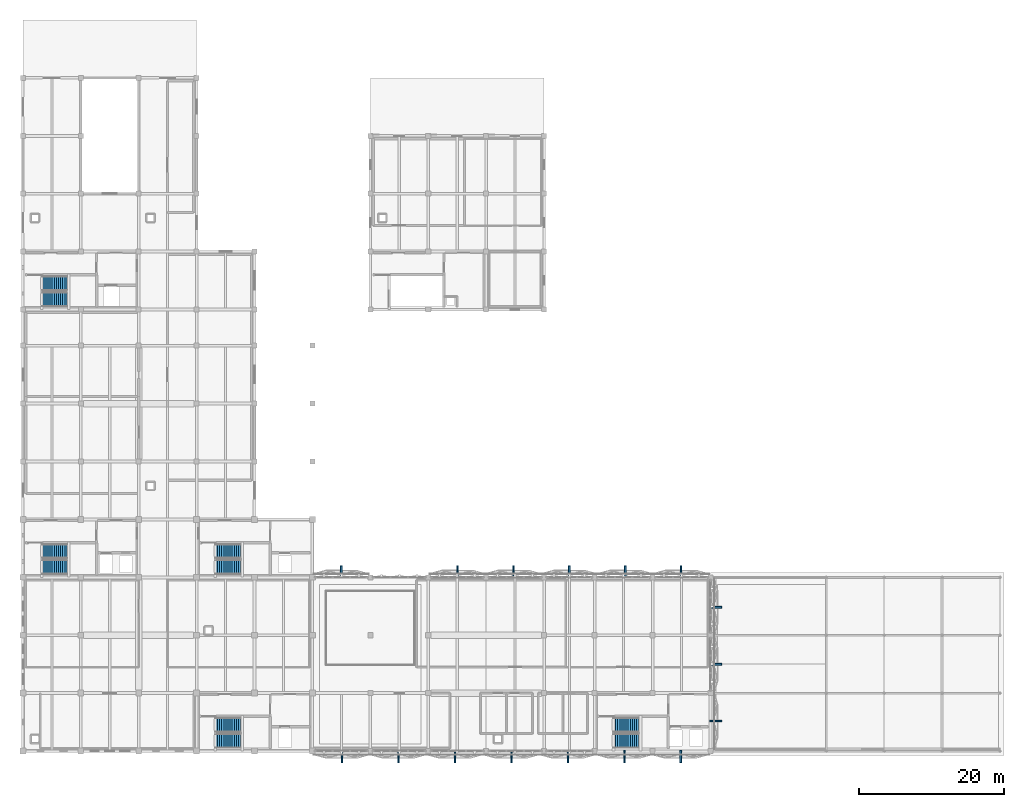
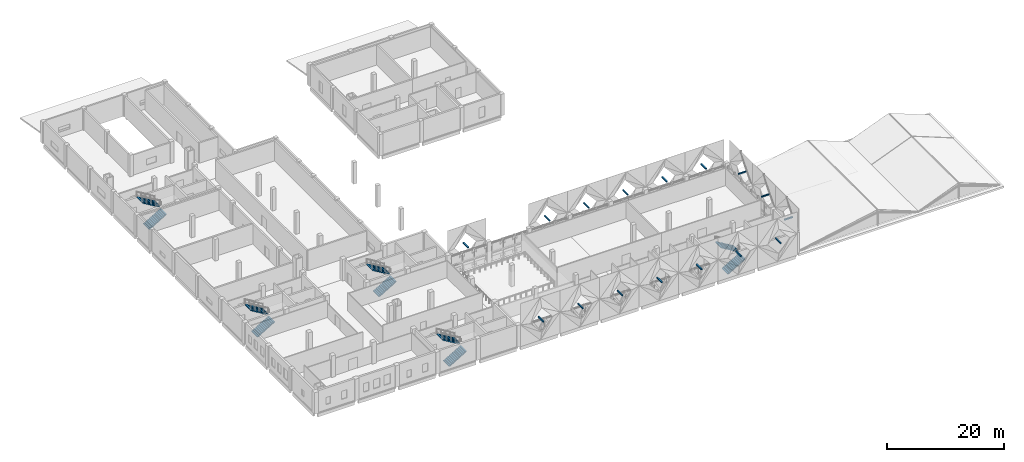
# One storey, part 27 of 37: 16 discrete accessories, 10 stair flights, 5 elements without a shape of their own.
"""IFC4 building model written with IfcOpenShell, lengths in metres."""

from ifc_helpers import new_model, si_unit, direction, frame, origin, origin_2d, place, context, subcontext, project, spatial, polyline, rectangle, outline, extrude, material, type_object, element, aggregate, save


model = new_model("IFC4")

# Units and contexts
model_context = context("Model", 3, precision=1e-05, world=origin(), true_north=direction((0.0, 1.0)))
body_context = subcontext(model_context, "Body", "Model", "MODEL_VIEW")
ifc_project = project(units=[si_unit("LENGTHUNIT", "METRE"), si_unit("AREAUNIT", "SQUARE_METRE"), si_unit("VOLUMEUNIT", "CUBIC_METRE"), si_unit("PLANEANGLEUNIT", "RADIAN"), si_unit("MASSUNIT", "GRAM", prefix="KILO")], contexts=[model_context])

# Site, building, storey
site_placement = place(None, origin())
site = spatial("IfcSite", under=ifc_project, at=site_placement, CompositionType="ELEMENT")
building_placement = place(site_placement, origin())
building = spatial("IfcBuilding", under=site, at=building_placement, Name="Qorikala Patio Media Centre", CompositionType="ELEMENT")
storey_placement = place(building_placement, frame((0.0, 0.0, 14.39990234375)))
storey = spatial("IfcBuildingStorey", under=building, at=storey_placement, Name="L03", CompositionType="ELEMENT", Elevation=14.39990234375)

# Stair, stair flights
ifc_material_1 = material(Name="Precast concrete C40/50", Category="concrete")
stair_type = type_object("IfcStairType", Name="ST-DL-26R173W200", PredefinedType="HALF_TURN_STAIR", material=ifc_material_1)
stair_1_placement = place(storey_placement, origin())
stair_1 = element("IfcStair", 1, at=stair_1_placement, inside=storey, type_object=stair_type, Name="L03 Core C1 Exit Stair ST-1", PredefinedType="HALF_TURN_STAIR")
stair_flight_type = type_object("IfcStairFlightType", Name="FL-DL-13R173W200", PredefinedType="STRAIGHT", material=ifc_material_1)
stair_flight_1_placement = place(storey_placement, frame((29.60009765625, 4.39990234375, 0.0), z_axis=(0.0, 0.0, 1.0), x_axis=(1.0, 0.0, 0.0)))
stair_flight_1 = element("IfcStairFlight", 2, at=stair_flight_1_placement, type_object=stair_flight_type, Name="ST-1 flight 1", NumberOfRisers=13, NumberOfTreads=12, PredefinedType="STRAIGHT", RiserHeight=0.173076923, TreadLength=0.29, context=body_context, shape_type="SweptSolid", body=[
    extrude(outline(polyline([(0.0, 0.0), (0.0, 0.173095703125), (0.2900390625, 0.173095703125), (0.2900390625, 0.34619140625), (0.580078125, 0.34619140625), (0.580078125, 0.519287109375), (0.8701171875, 0.519287109375), (0.8701171875, 0.6923828125), (1.159912109375, 0.6923828125), (1.159912109375, 0.865478515625), (1.449951171875, 0.865478515625), (1.449951171875, 1.03857421875), (1.739990234375, 1.03857421875), (1.739990234375, 1.21142578125), (2.030029296875, 1.21142578125), (2.030029296875, 1.384521484375), (2.320068359375, 1.384521484375), (2.320068359375, 1.5576171875), (2.610107421875, 1.5576171875), (2.610107421875, 1.730712890625), (2.89990234375, 1.730712890625), (2.89990234375, 1.90380859375), (3.18994140625, 1.90380859375), (3.18994140625, 2.076904296875), (3.47998046875, 2.076904296875), (3.47998046875, 2.25), (3.47998046875, 1.90234375), (0.29248046875, 0.0), (0.0, 0.0)])), frame((0.0, 1.0, 0.0), z_axis=(0.0, -1.0, 0.0), x_axis=(1.0, 0.0, 0.0)), (0.0, 0.0, 1.0), 2.0),
])
stair_flight_2_placement = place(storey_placement, frame((33.080078125, 6.60009765625, 2.25), z_axis=(0.0, 0.0, 1.0), x_axis=(-1.0, 0.0, 0.0)))
stair_flight_2 = element("IfcStairFlight", 3, at=stair_flight_2_placement, type_object=stair_flight_type, Name="ST-1 flight 2", NumberOfRisers=13, NumberOfTreads=12, PredefinedType="STRAIGHT", RiserHeight=0.173076923, TreadLength=0.29, context=body_context, shape_type="SweptSolid", body=[
    extrude(outline(polyline([(0.0, 0.0), (0.0, 0.173095703125), (0.2900390625, 0.173095703125), (0.2900390625, 0.34619140625), (0.580078125, 0.34619140625), (0.580078125, 0.519287109375), (0.8701171875, 0.519287109375), (0.8701171875, 0.6923828125), (1.159912109375, 0.6923828125), (1.159912109375, 0.865478515625), (1.449951171875, 0.865478515625), (1.449951171875, 1.03857421875), (1.739990234375, 1.03857421875), (1.739990234375, 1.21142578125), (2.030029296875, 1.21142578125), (2.030029296875, 1.384521484375), (2.320068359375, 1.384521484375), (2.320068359375, 1.5576171875), (2.610107421875, 1.5576171875), (2.610107421875, 1.730712890625), (2.89990234375, 1.730712890625), (2.89990234375, 1.90380859375), (3.18994140625, 1.90380859375), (3.18994140625, 2.076904296875), (3.47998046875, 2.076904296875), (3.47998046875, 2.25), (3.47998046875, 1.90234375), (0.29248046875, 0.0), (0.0, 0.0)])), frame((0.0, 1.0, 0.0), z_axis=(0.0, -1.0, 0.0), x_axis=(1.0, 0.0, 0.0)), (0.0, 0.0, 1.0), 2.0),
])
aggregate(stair_1, [stair_flight_1, stair_flight_2])

stair_2_placement = place(storey_placement, origin())
stair_2 = element("IfcStair", 4, at=stair_2_placement, inside=storey, type_object=stair_type, Name="L03 Core C2 Exit Stair ST-2", PredefinedType="HALF_TURN_STAIR")
stair_flight_3_placement = place(storey_placement, frame((5.60009765625, 28.39990234375, 0.0), z_axis=(0.0, 0.0, 1.0), x_axis=(1.0, 0.0, 0.0)))
stair_flight_3 = element("IfcStairFlight", 5, at=stair_flight_3_placement, type_object=stair_flight_type, Name="ST-2 flight 1", NumberOfRisers=13, NumberOfTreads=12, PredefinedType="STRAIGHT", RiserHeight=0.173076923, TreadLength=0.29, context=body_context, shape_type="SweptSolid", body=[
    extrude(outline(polyline([(0.0, 0.0), (0.0, 0.173095703125), (0.2900390625, 0.173095703125), (0.2900390625, 0.34619140625), (0.580078125, 0.34619140625), (0.580078125, 0.519287109375), (0.8701171875, 0.519287109375), (0.8701171875, 0.6923828125), (1.159912109375, 0.6923828125), (1.159912109375, 0.865478515625), (1.449951171875, 0.865478515625), (1.449951171875, 1.03857421875), (1.739990234375, 1.03857421875), (1.739990234375, 1.21142578125), (2.030029296875, 1.21142578125), (2.030029296875, 1.384521484375), (2.320068359375, 1.384521484375), (2.320068359375, 1.5576171875), (2.610107421875, 1.5576171875), (2.610107421875, 1.730712890625), (2.89990234375, 1.730712890625), (2.89990234375, 1.90380859375), (3.18994140625, 1.90380859375), (3.18994140625, 2.076904296875), (3.47998046875, 2.076904296875), (3.47998046875, 2.25), (3.47998046875, 1.90234375), (0.29248046875, 0.0), (0.0, 0.0)])), frame((0.0, 1.0, 0.0), z_axis=(0.0, -1.0, 0.0), x_axis=(1.0, 0.0, 0.0)), (0.0, 0.0, 1.0), 2.0),
])
stair_flight_4_placement = place(storey_placement, frame((9.080078125, 30.60009765625, 2.25), z_axis=(0.0, 0.0, 1.0), x_axis=(-1.0, 0.0, 0.0)))
stair_flight_4 = element("IfcStairFlight", 6, at=stair_flight_4_placement, type_object=stair_flight_type, Name="ST-2 flight 2", NumberOfRisers=13, NumberOfTreads=12, PredefinedType="STRAIGHT", RiserHeight=0.173076923, TreadLength=0.29, context=body_context, shape_type="SweptSolid", body=[
    extrude(outline(polyline([(0.0, 0.0), (0.0, 0.173095703125), (0.2900390625, 0.173095703125), (0.2900390625, 0.34619140625), (0.580078125, 0.34619140625), (0.580078125, 0.519287109375), (0.8701171875, 0.519287109375), (0.8701171875, 0.6923828125), (1.159912109375, 0.6923828125), (1.159912109375, 0.865478515625), (1.449951171875, 0.865478515625), (1.449951171875, 1.03857421875), (1.739990234375, 1.03857421875), (1.739990234375, 1.21142578125), (2.030029296875, 1.21142578125), (2.030029296875, 1.384521484375), (2.320068359375, 1.384521484375), (2.320068359375, 1.5576171875), (2.610107421875, 1.5576171875), (2.610107421875, 1.730712890625), (2.89990234375, 1.730712890625), (2.89990234375, 1.90380859375), (3.18994140625, 1.90380859375), (3.18994140625, 2.076904296875), (3.47998046875, 2.076904296875), (3.47998046875, 2.25), (3.47998046875, 1.90234375), (0.29248046875, 0.0), (0.0, 0.0)])), frame((0.0, 1.0, 0.0), z_axis=(0.0, -1.0, 0.0), x_axis=(1.0, 0.0, 0.0)), (0.0, 0.0, 1.0), 2.0),
])
aggregate(stair_2, [stair_flight_3, stair_flight_4])

stair_3_placement = place(storey_placement, origin())
stair_3 = element("IfcStair", 7, at=stair_3_placement, inside=storey, type_object=stair_type, Name="L03 Core C3 Exit Stair ST-3", PredefinedType="HALF_TURN_STAIR")
stair_flight_5_placement = place(storey_placement, frame((5.60009765625, 65.39990234375, 0.0), z_axis=(0.0, 0.0, 1.0), x_axis=(1.0, 0.0, 0.0)))
stair_flight_5 = element("IfcStairFlight", 8, at=stair_flight_5_placement, type_object=stair_flight_type, Name="ST-3 flight 1", NumberOfRisers=13, NumberOfTreads=12, PredefinedType="STRAIGHT", RiserHeight=0.173076923, TreadLength=0.29, context=body_context, shape_type="SweptSolid", body=[
    extrude(outline(polyline([(0.0, 0.0), (0.0, 0.173095703125), (0.2900390625, 0.173095703125), (0.2900390625, 0.34619140625), (0.580078125, 0.34619140625), (0.580078125, 0.519287109375), (0.8701171875, 0.519287109375), (0.8701171875, 0.6923828125), (1.159912109375, 0.6923828125), (1.159912109375, 0.865478515625), (1.449951171875, 0.865478515625), (1.449951171875, 1.03857421875), (1.739990234375, 1.03857421875), (1.739990234375, 1.21142578125), (2.030029296875, 1.21142578125), (2.030029296875, 1.384521484375), (2.320068359375, 1.384521484375), (2.320068359375, 1.5576171875), (2.610107421875, 1.5576171875), (2.610107421875, 1.730712890625), (2.89990234375, 1.730712890625), (2.89990234375, 1.90380859375), (3.18994140625, 1.90380859375), (3.18994140625, 2.076904296875), (3.47998046875, 2.076904296875), (3.47998046875, 2.25), (3.47998046875, 1.90234375), (0.29248046875, 0.0), (0.0, 0.0)])), frame((0.0, 1.0, 0.0), z_axis=(0.0, -1.0, 0.0), x_axis=(1.0, 0.0, 0.0)), (0.0, 0.0, 1.0), 2.0),
])
stair_flight_6_placement = place(storey_placement, frame((9.080078125, 67.60009765625, 2.25), z_axis=(0.0, 0.0, 1.0), x_axis=(-1.0, 0.0, 0.0)))
stair_flight_6 = element("IfcStairFlight", 9, at=stair_flight_6_placement, type_object=stair_flight_type, Name="ST-3 flight 2", NumberOfRisers=13, NumberOfTreads=12, PredefinedType="STRAIGHT", RiserHeight=0.173076923, TreadLength=0.29, context=body_context, shape_type="SweptSolid", body=[
    extrude(outline(polyline([(0.0, 0.0), (0.0, 0.173095703125), (0.2900390625, 0.173095703125), (0.2900390625, 0.34619140625), (0.580078125, 0.34619140625), (0.580078125, 0.519287109375), (0.8701171875, 0.519287109375), (0.8701171875, 0.6923828125), (1.159912109375, 0.6923828125), (1.159912109375, 0.865478515625), (1.449951171875, 0.865478515625), (1.449951171875, 1.03857421875), (1.739990234375, 1.03857421875), (1.739990234375, 1.21142578125), (2.030029296875, 1.21142578125), (2.030029296875, 1.384521484375), (2.320068359375, 1.384521484375), (2.320068359375, 1.5576171875), (2.610107421875, 1.5576171875), (2.610107421875, 1.730712890625), (2.89990234375, 1.730712890625), (2.89990234375, 1.90380859375), (3.18994140625, 1.90380859375), (3.18994140625, 2.076904296875), (3.47998046875, 2.076904296875), (3.47998046875, 2.25), (3.47998046875, 1.90234375), (0.29248046875, 0.0), (0.0, 0.0)])), frame((0.0, 1.0, 0.0), z_axis=(0.0, -1.0, 0.0), x_axis=(1.0, 0.0, 0.0)), (0.0, 0.0, 1.0), 2.0),
])
aggregate(stair_3, [stair_flight_5, stair_flight_6])

stair_4_placement = place(storey_placement, origin())
stair_4 = element("IfcStair", 10, at=stair_4_placement, inside=storey, type_object=stair_type, Name="L03 Core C4 Exit Stair ST-4", PredefinedType="HALF_TURN_STAIR")
stair_flight_7_placement = place(storey_placement, frame((84.60009765625, 4.39990234375, 0.0), z_axis=(0.0, 0.0, 1.0), x_axis=(1.0, 0.0, 0.0)))
stair_flight_7 = element("IfcStairFlight", 11, at=stair_flight_7_placement, type_object=stair_flight_type, Name="ST-4 flight 1", NumberOfRisers=13, NumberOfTreads=12, PredefinedType="STRAIGHT", RiserHeight=0.173076923, TreadLength=0.29, context=body_context, shape_type="SweptSolid", body=[
    extrude(outline(polyline([(0.0, 0.0), (0.0, 0.173095703125), (0.2900390625, 0.173095703125), (0.2900390625, 0.34619140625), (0.580078125, 0.34619140625), (0.580078125, 0.519287109375), (0.8701171875, 0.519287109375), (0.8701171875, 0.6923828125), (1.159912109375, 0.6923828125), (1.159912109375, 0.865478515625), (1.449951171875, 0.865478515625), (1.449951171875, 1.03857421875), (1.739990234375, 1.03857421875), (1.739990234375, 1.21142578125), (2.030029296875, 1.21142578125), (2.030029296875, 1.384521484375), (2.320068359375, 1.384521484375), (2.320068359375, 1.5576171875), (2.610107421875, 1.5576171875), (2.610107421875, 1.730712890625), (2.89990234375, 1.730712890625), (2.89990234375, 1.90380859375), (3.18994140625, 1.90380859375), (3.18994140625, 2.076904296875), (3.47998046875, 2.076904296875), (3.47998046875, 2.25), (3.47998046875, 1.90234375), (0.29248046875, 0.0), (0.0, 0.0)])), frame((0.0, 1.0, 0.0), z_axis=(0.0, -1.0, 0.0), x_axis=(1.0, 0.0, 0.0)), (0.0, 0.0, 1.0), 2.0),
])
stair_flight_8_placement = place(storey_placement, frame((88.080078125, 6.60009765625, 2.25), z_axis=(0.0, 0.0, 1.0), x_axis=(-1.0, 0.0, 0.0)))
stair_flight_8 = element("IfcStairFlight", 12, at=stair_flight_8_placement, type_object=stair_flight_type, Name="ST-4 flight 2", NumberOfRisers=13, NumberOfTreads=12, PredefinedType="STRAIGHT", RiserHeight=0.173076923, TreadLength=0.29, context=body_context, shape_type="SweptSolid", body=[
    extrude(outline(polyline([(0.0, 0.0), (0.0, 0.173095703125), (0.2900390625, 0.173095703125), (0.2900390625, 0.34619140625), (0.580078125, 0.34619140625), (0.580078125, 0.519287109375), (0.8701171875, 0.519287109375), (0.8701171875, 0.6923828125), (1.159912109375, 0.6923828125), (1.159912109375, 0.865478515625), (1.449951171875, 0.865478515625), (1.449951171875, 1.03857421875), (1.739990234375, 1.03857421875), (1.739990234375, 1.21142578125), (2.030029296875, 1.21142578125), (2.030029296875, 1.384521484375), (2.320068359375, 1.384521484375), (2.320068359375, 1.5576171875), (2.610107421875, 1.5576171875), (2.610107421875, 1.730712890625), (2.89990234375, 1.730712890625), (2.89990234375, 1.90380859375), (3.18994140625, 1.90380859375), (3.18994140625, 2.076904296875), (3.47998046875, 2.076904296875), (3.47998046875, 2.25), (3.47998046875, 1.90234375), (0.29248046875, 0.0), (0.0, 0.0)])), frame((0.0, 1.0, 0.0), z_axis=(0.0, -1.0, 0.0), x_axis=(1.0, 0.0, 0.0)), (0.0, 0.0, 1.0), 2.0),
])
aggregate(stair_4, [stair_flight_7, stair_flight_8])

stair_5_placement = place(storey_placement, origin())
stair_5 = element("IfcStair", 13, at=stair_5_placement, inside=storey, type_object=stair_type, Name="L03 Core C5 Exit Stair ST-5", PredefinedType="HALF_TURN_STAIR")
stair_flight_9_placement = place(storey_placement, frame((29.60009765625, 28.39990234375, 0.0), z_axis=(0.0, 0.0, 1.0), x_axis=(1.0, 0.0, 0.0)))
stair_flight_9 = element("IfcStairFlight", 14, at=stair_flight_9_placement, type_object=stair_flight_type, Name="ST-5 flight 1", NumberOfRisers=13, NumberOfTreads=12, PredefinedType="STRAIGHT", RiserHeight=0.173076923, TreadLength=0.29, context=body_context, shape_type="SweptSolid", body=[
    extrude(outline(polyline([(0.0, 0.0), (0.0, 0.173095703125), (0.2900390625, 0.173095703125), (0.2900390625, 0.34619140625), (0.580078125, 0.34619140625), (0.580078125, 0.519287109375), (0.8701171875, 0.519287109375), (0.8701171875, 0.6923828125), (1.159912109375, 0.6923828125), (1.159912109375, 0.865478515625), (1.449951171875, 0.865478515625), (1.449951171875, 1.03857421875), (1.739990234375, 1.03857421875), (1.739990234375, 1.21142578125), (2.030029296875, 1.21142578125), (2.030029296875, 1.384521484375), (2.320068359375, 1.384521484375), (2.320068359375, 1.5576171875), (2.610107421875, 1.5576171875), (2.610107421875, 1.730712890625), (2.89990234375, 1.730712890625), (2.89990234375, 1.90380859375), (3.18994140625, 1.90380859375), (3.18994140625, 2.076904296875), (3.47998046875, 2.076904296875), (3.47998046875, 2.25), (3.47998046875, 1.90234375), (0.29248046875, 0.0), (0.0, 0.0)])), frame((0.0, 1.0, 0.0), z_axis=(0.0, -1.0, 0.0), x_axis=(1.0, 0.0, 0.0)), (0.0, 0.0, 1.0), 2.0),
])
stair_flight_10_placement = place(storey_placement, frame((33.080078125, 30.60009765625, 2.25), z_axis=(0.0, 0.0, 1.0), x_axis=(-1.0, 0.0, 0.0)))
stair_flight_10 = element("IfcStairFlight", 15, at=stair_flight_10_placement, type_object=stair_flight_type, Name="ST-5 flight 2", NumberOfRisers=13, NumberOfTreads=12, PredefinedType="STRAIGHT", RiserHeight=0.173076923, TreadLength=0.29, context=body_context, shape_type="SweptSolid", body=[
    extrude(outline(polyline([(0.0, 0.0), (0.0, 0.173095703125), (0.2900390625, 0.173095703125), (0.2900390625, 0.34619140625), (0.580078125, 0.34619140625), (0.580078125, 0.519287109375), (0.8701171875, 0.519287109375), (0.8701171875, 0.6923828125), (1.159912109375, 0.6923828125), (1.159912109375, 0.865478515625), (1.449951171875, 0.865478515625), (1.449951171875, 1.03857421875), (1.739990234375, 1.03857421875), (1.739990234375, 1.21142578125), (2.030029296875, 1.21142578125), (2.030029296875, 1.384521484375), (2.320068359375, 1.384521484375), (2.320068359375, 1.5576171875), (2.610107421875, 1.5576171875), (2.610107421875, 1.730712890625), (2.89990234375, 1.730712890625), (2.89990234375, 1.90380859375), (3.18994140625, 1.90380859375), (3.18994140625, 2.076904296875), (3.47998046875, 2.076904296875), (3.47998046875, 2.25), (3.47998046875, 1.90234375), (0.29248046875, 0.0), (0.0, 0.0)])), frame((0.0, 1.0, 0.0), z_axis=(0.0, -1.0, 0.0), x_axis=(1.0, 0.0, 0.0)), (0.0, 0.0, 1.0), 2.0),
])
aggregate(stair_5, [stair_flight_9, stair_flight_10])

# Discrete accessories
ifc_material_2 = material(Name="Steel S355", Category="steel")
discrete_accessory_type = type_object("IfcDiscreteAccessoryType", Name="ACC-BRACKET", PredefinedType="BRACKET", material=ifc_material_2)
for number, where, z_axis, x_axis, name in (
    (16, (47.10009765625, 2.235107421875, 4.3798828125), (0.0, 0.0, 1.0), (1.0, 0.0, 0.0), "Foyer 3D Diamond Apex Bracket S-158"),
    (17, (54.89990234375, 2.235107421875, 4.3798828125), (0.0, 0.0, 1.0), (1.0, 0.0, 0.0), "Foyer 3D Diamond Apex Bracket S-159"),
    (18, (62.699951171875, 2.235107421875, 4.3798828125), (0.0, 0.0, 1.0), (1.0, 0.0, 0.0), "Foyer 3D Diamond Apex Bracket S-160"),
    (19, (70.5, 2.235107421875, 4.3798828125), (0.0, 0.0, 1.0), (1.0, 0.0, 0.0), "Foyer 3D Diamond Apex Bracket S-161"),
    (20, (78.300048828125, 2.235107421875, 4.3798828125), (0.0, 0.0, 1.0), (1.0, 0.0, 0.0), "Foyer 3D Diamond Apex Bracket S-162"),
    (21, (86.10009765625, 2.235107421875, 4.3798828125), (0.0, 0.0, 1.0), (1.0, 0.0, 0.0), "Foyer 3D Diamond Apex Bracket S-163"),
    (22, (93.89990234375, 2.235107421875, 4.3798828125), (0.0, 0.0, 1.0), (1.0, 0.0, 0.0), "Foyer 3D Diamond Apex Bracket S-164"),
    (23, (63.06005859375, 27.764892578125, 4.3798828125), (0.0, 0.0, 1.0), (1.0, 0.0, 0.0), "Foyer 3D Diamond Apex Bracket N-170"),
    (24, (70.780029296875, 27.764892578125, 4.3798828125), (0.0, 0.0, 1.0), (1.0, 0.0, 0.0), "Foyer 3D Diamond Apex Bracket N-171"),
    (25, (78.5, 27.764892578125, 4.3798828125), (0.0, 0.0, 1.0), (1.0, 0.0, 0.0), "Foyer 3D Diamond Apex Bracket N-172"),
    (26, (86.219970703125, 27.764892578125, 4.3798828125), (0.0, 0.0, 1.0), (1.0, 0.0, 0.0), "Foyer 3D Diamond Apex Bracket N-173"),
    (27, (93.93994140625, 27.764892578125, 4.3798828125), (0.0, 0.0, 1.0), (1.0, 0.0, 0.0), "Foyer 3D Diamond Apex Bracket N-174"),
    (28, (47.0, 27.764892578125, 4.3798828125), (0.0, 0.0, 1.0), (1.0, 0.0, 0.0), "Foyer 3D Diamond Apex Bracket NW-176"),
):
    element("IfcDiscreteAccessory", number, at=place(storey_placement, frame(where, z_axis=z_axis, x_axis=x_axis)), inside=storey, type_object=discrete_accessory_type, Name=name, PredefinedType="BRACKET", context=body_context, shape_type="SweptSolid", body=[
        extrude(rectangle(XDim=0.239990234375, YDim=1.72998046875, at=origin_2d()), origin(), (0.0, 0.0, 1.0), 0.239990234375),
    ])
for number, where, z_axis, x_axis, name in (
    (29, (98.75, 7.13330078125, 4.3798828125), (0.0, 0.0, 1.0), (1.0, 0.0, 0.0), "Foyer 3D Diamond East Apex Bracket 1"),
    (30, (98.75, 15.0, 4.3798828125), (0.0, 0.0, 1.0), (1.0, 0.0, 0.0), "Foyer 3D Diamond East Apex Bracket 2"),
    (31, (98.75, 22.86669921875, 4.3798828125), (0.0, 0.0, 1.0), (1.0, 0.0, 0.0), "Foyer 3D Diamond East Apex Bracket 3"),
):
    element("IfcDiscreteAccessory", number, at=place(storey_placement, frame(where, z_axis=z_axis, x_axis=x_axis)), inside=storey, type_object=discrete_accessory_type, Name=name, PredefinedType="BRACKET", context=body_context, shape_type="SweptSolid", body=[
        extrude(rectangle(XDim=1.64990234375, YDim=0.239990234375, at=origin_2d()), origin(), (0.0, 0.0, 1.0), 0.239990234375),
    ])

save(model, "model.ifc")
